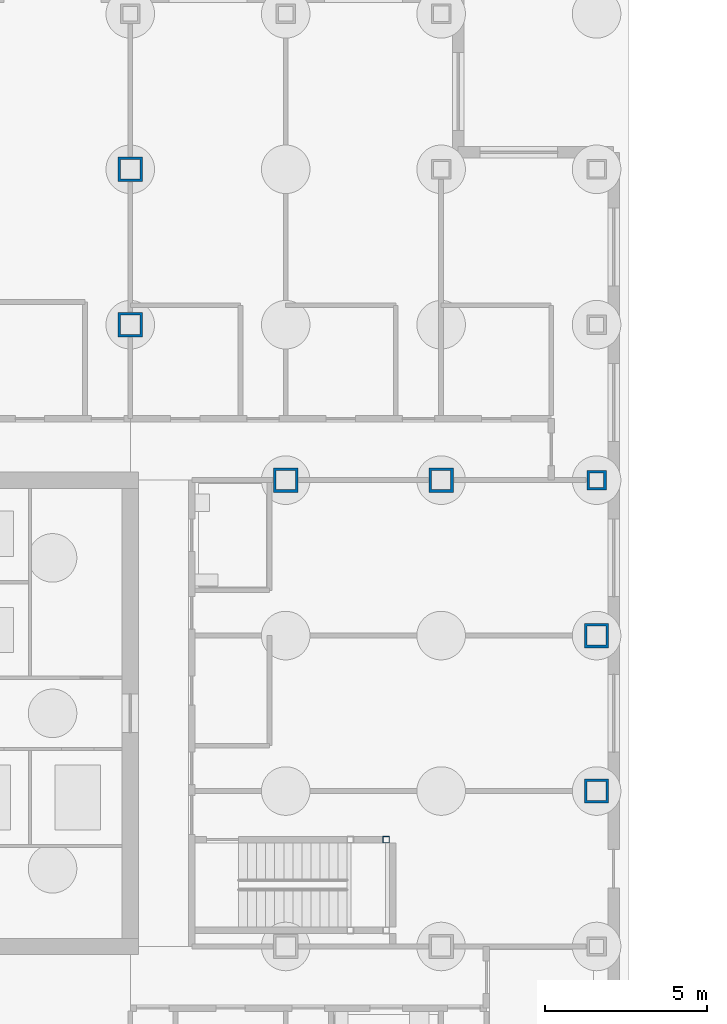
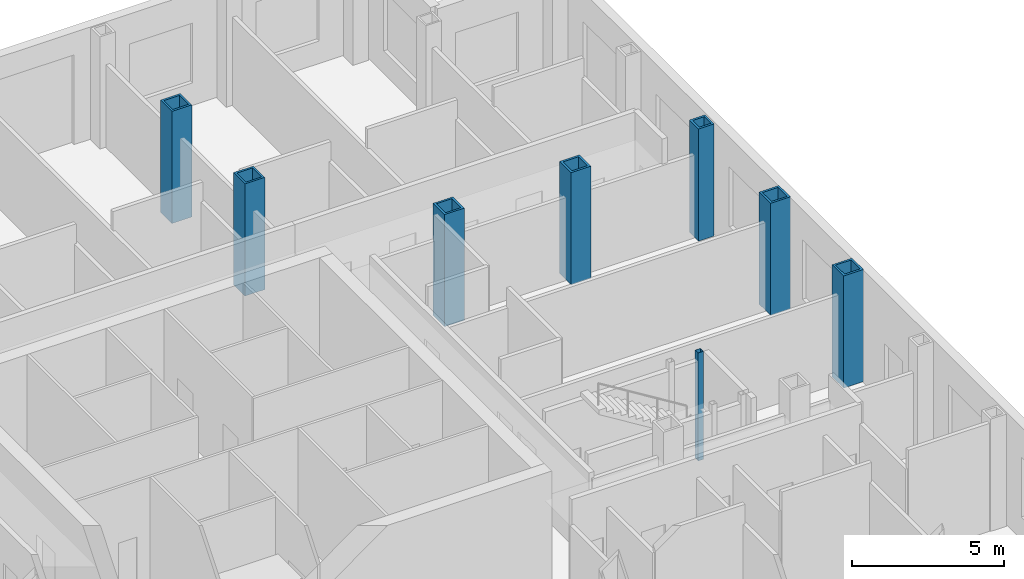
# One storey, part 10 of 22: 8 columns.
"""IFC4 building model written with IfcOpenShell, lengths in metres."""

from ifc_helpers import new_model, si_unit, direction, frame, origin, origin_2d, place, context, subcontext, project, spatial, hollow_rectangle, extrude, material, material_profile, profile_set, type_object, element, save


model = new_model("IFC4")

# Units and contexts
model_context = context("Model", 3, precision=1e-05, world=origin(), true_north=direction((0.0, 1.0)))
body_context = subcontext(model_context, "Body", "Model", "MODEL_VIEW")
ifc_project = project(units=[si_unit("LENGTHUNIT", "METRE"), si_unit("AREAUNIT", "SQUARE_METRE"), si_unit("VOLUMEUNIT", "CUBIC_METRE"), si_unit("PLANEANGLEUNIT", "RADIAN"), si_unit("MASSUNIT", "GRAM", prefix="KILO")], contexts=[model_context])

# Site, building, storey
site_placement = place(None, origin())
site = spatial("IfcSite", under=ifc_project, at=site_placement, CompositionType="ELEMENT")
building_placement = place(site_placement, origin())
building = spatial("IfcBuilding", under=site, at=building_placement, Name="Kvirike Care Tower", CompositionType="ELEMENT")
storey_placement = place(building_placement, origin())
storey = spatial("IfcBuildingStorey", under=building, at=storey_placement, Name="L00", CompositionType="ELEMENT", Elevation=0.0)

# Columns
ifc_material_1 = material(Name="Steel S460", Category="steel")
ifc_material_profile_1 = material_profile(ifc_material_1, hollow_rectangle(XDim=0.60009765625, YDim=0.60009765625, WallThickness=0.080078125, at=origin_2d()), Name="BX 600x600x80")
ifc_profile_set_1 = profile_set([ifc_material_profile_1], Name="Steel S460")
column_type_1 = type_object("IfcColumnType", Name="COLUMN BX 600x600x80", PredefinedType="COLUMN", material=ifc_profile_set_1)
column_1_placement = place(storey_placement, frame((43.199951171875, 43.199951171875, 0.0), z_axis=(0.0, 0.0, 1.0), x_axis=(0.0, 1.0, 0.0)))
element("IfcColumn", 1, at=column_1_placement, inside=storey, type_object=column_type_1, Name="Column K12 L00", PredefinedType="COLUMN", context=body_context, shape_type="SweptSolid", body=[
    extrude(hollow_rectangle(XDim=0.60009765625, YDim=0.60009765625, WallThickness=0.080078125, at=origin_2d()), origin(), (0.0, 0.0, 1.0), 4.5),
])
ifc_material_2 = material(Name="Steel S460", Category="steel")
ifc_material_profile_2 = material_profile(ifc_material_2, hollow_rectangle(XDim=0.75, YDim=0.75, WallThickness=0.080078125, at=origin_2d()), Name="BX 750x750x80")
ifc_profile_set_2 = profile_set([ifc_material_profile_2], Name="Steel S460")
column_type_2 = type_object("IfcColumnType", Name="COLUMN BX 750x750x80", PredefinedType="COLUMN", material=ifc_profile_set_2)
for number, where, z_axis, x_axis, name in (
    (2, (28.800048828125, 48.0, 0.0), (0.0, 0.0, 1.0), (1.0, 0.0, 0.0), "Column L9 L00"),
    (3, (28.800048828125, 52.800048828125, 0.0), (0.0, 0.0, 1.0), (1.0, 0.0, 0.0), "Column M9 L00"),
    (4, (33.60009765625, 43.199951171875, 0.0), (0.0, 0.0, 1.0), (0.0, 1.0, 0.0), "Column K10 L00"),
    (5, (38.39990234375, 43.199951171875, 0.0), (0.0, 0.0, 1.0), (0.0, 1.0, 0.0), "Column K11 L00"),
    (6, (43.199951171875, 33.60009765625, 0.0), (0.0, 0.0, 1.0), (1.0, 0.0, 0.0), "Column H12 L00"),
    (7, (43.199951171875, 38.39990234375, 0.0), (0.0, 0.0, 1.0), (1.0, 0.0, 0.0), "Column J12 L00"),
):
    element("IfcColumn", number, at=place(storey_placement, frame(where, z_axis=z_axis, x_axis=x_axis)), inside=storey, type_object=column_type_2, Name=name, PredefinedType="COLUMN", context=body_context, shape_type="SweptSolid", body=[
        extrude(hollow_rectangle(XDim=0.75, YDim=0.75, WallThickness=0.080078125, at=origin_2d()), origin(), (0.0, 0.0, 1.0), 4.5),
    ])
ifc_material_3 = material(Name="Steel S460", Category="steel")
ifc_material_profile_3 = material_profile(ifc_material_3, hollow_rectangle(XDim=0.199951171875, YDim=0.199951171875, WallThickness=0.008056640625, at=origin_2d()), Name="SHS 200x200x8")
ifc_profile_set_3 = profile_set([ifc_material_profile_3], Name="Steel S460")
column_type_3 = type_object("IfcColumnType", Name="STAIR POST SHS 200x200x8", PredefinedType="COLUMN", material=ifc_profile_set_3)
column_2_placement = place(storey_placement, frame((36.699951171875, 32.10009765625, 0.0), z_axis=(0.0, 0.0, 1.0), x_axis=(1.0, 0.0, 0.0)))
element("IfcColumn", 8, at=column_2_placement, inside=storey, type_object=column_type_3, Name="Stair 2 post 2 L00", PredefinedType="COLUMN", context=body_context, shape_type="SweptSolid", body=[
    extrude(hollow_rectangle(XDim=0.199951171875, YDim=0.199951171875, WallThickness=0.008056640625, at=origin_2d()), origin(), (0.0, 0.0, 1.0), 4.330078125),
])

save(model, "model.ifc")
